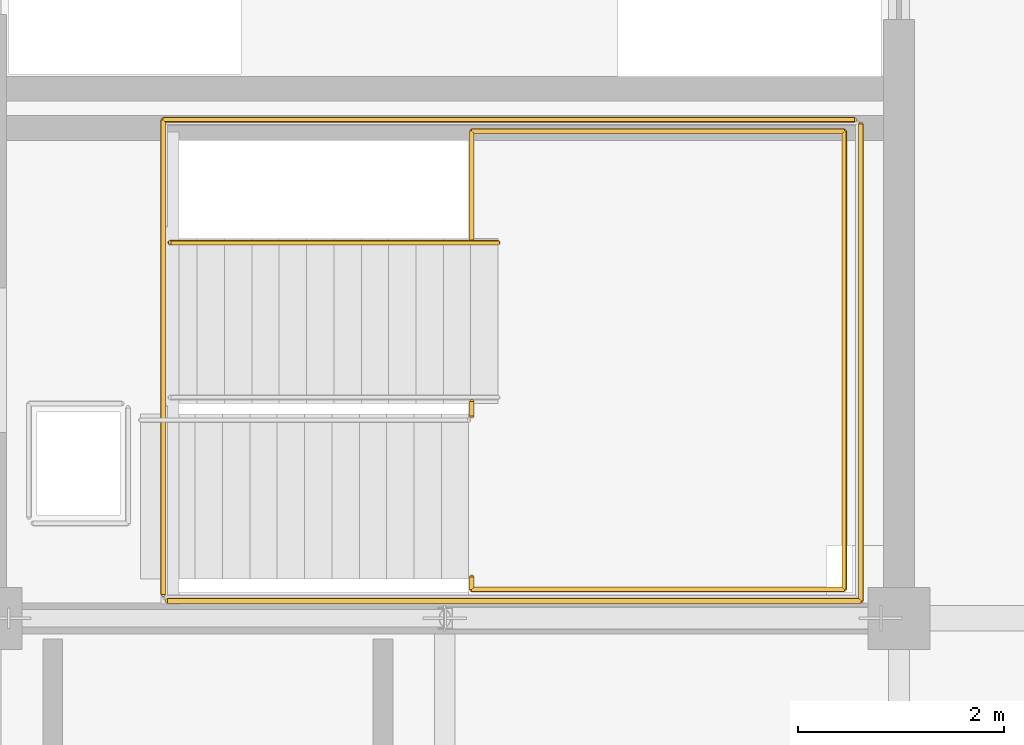
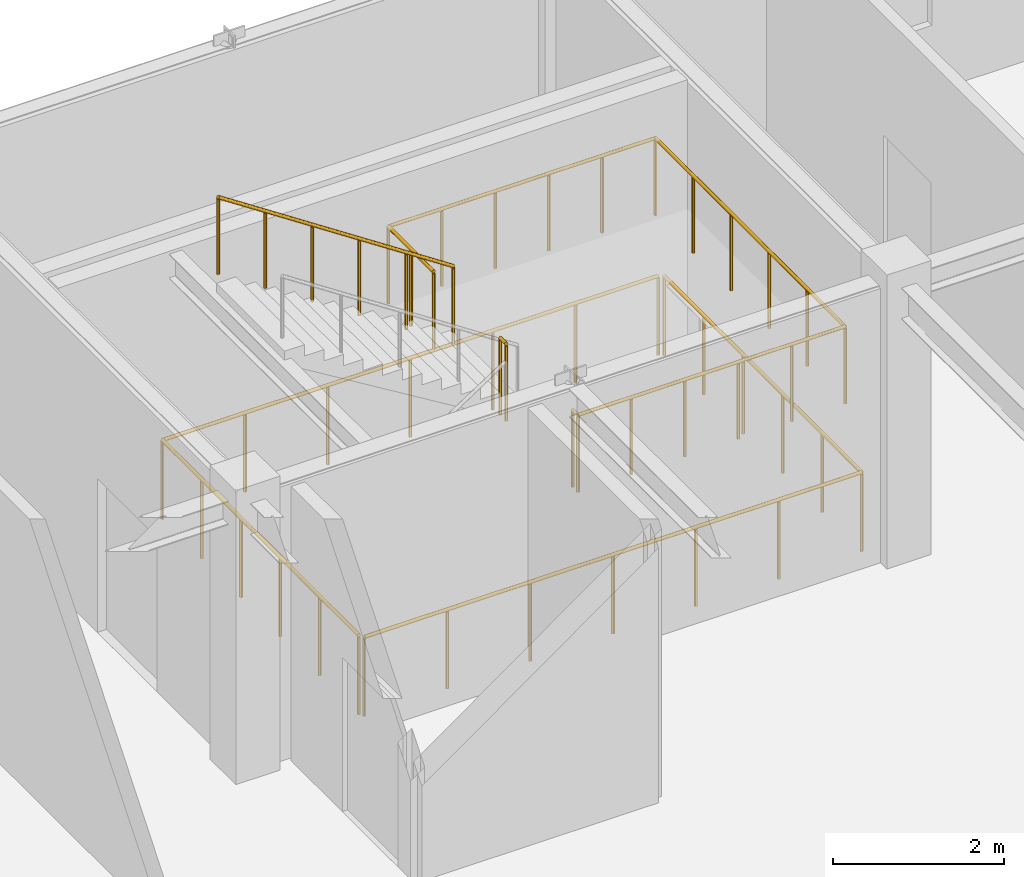
# One storey, part 13 of 13: 5 railings.
"""IFC4 building model written with IfcOpenShell, lengths in metres."""

from ifc_helpers import new_model, si_unit, direction, frame, origin, origin_2d, place, context, subcontext, project, spatial, circle, extrude, material, type_object, element, save


model = new_model("IFC4")

# Units and contexts
model_context = context("Model", 3, precision=1e-05, world=origin(), true_north=direction((0.0, 1.0)))
body_context = subcontext(model_context, "Body", "Model", "MODEL_VIEW")
ifc_project = project(units=[si_unit("LENGTHUNIT", "METRE"), si_unit("AREAUNIT", "SQUARE_METRE"), si_unit("VOLUMEUNIT", "CUBIC_METRE"), si_unit("PLANEANGLEUNIT", "RADIAN"), si_unit("MASSUNIT", "GRAM", prefix="KILO")], contexts=[model_context])

# Site, building, storey
site_placement = place(None, origin())
site = spatial("IfcSite", under=ifc_project, at=site_placement, CompositionType="ELEMENT")
building_placement = place(site_placement, origin())
building = spatial("IfcBuilding", under=site, at=building_placement, Name="Zhaolan Boulevard Law Courts", CompositionType="ELEMENT")
storey_placement = place(building_placement, frame((0.0, 0.0, 37.199951171875)))
storey = spatial("IfcBuildingStorey", under=building, at=storey_placement, Name="L08", CompositionType="ELEMENT", Elevation=37.199951171875)

# Railings
ifc_material_1 = material(Name="Powder-coated steel and tempered laminated glass", Category="steel")
railing_type_1 = type_object("IfcRailingType", Name="INTERIOR GUARDRAIL 1150", PredefinedType="GUARDRAIL", material=ifc_material_1)
railing_1_placement = place(storey_placement, frame((19.31005859375, 62.169921875, 0.0)))
element("IfcRailing", 1, at=railing_1_placement, inside=storey, type_object=railing_type_1, Name="Atrium Gallery Guardrail VG-8-V5-7A", PredefinedType="GUARDRAIL", context=body_context, shape_type="SweptSolid", body=[
    extrude(circle(Radius=0.02490234375, at=origin_2d()), frame((0.0, 0.0, 1.125), z_axis=(1.0, 0.0, 0.0), x_axis=(0.0, 1.0, 0.0)), (0.0, 0.0, 1.0), 6.719970703125),
    extrude(circle(Radius=0.02490234375, at=origin_2d()), frame((6.719970703125, 0.0, 1.125), z_axis=(0.0, 1.0, 0.0), x_axis=(-1.0, 0.0, 0.0)), (0.0, 0.0, 1.0), 4.6201171875),
    extrude(circle(Radius=0.02099609375, at=origin_2d()), origin(), (0.0, 0.0, 1.0), 1.099853515625),
    extrude(circle(Radius=0.02099609375, at=origin_2d()), frame((1.1201171875, 0.0, 0.0)), (0.0, 0.0, 1.0), 1.099853515625),
    extrude(circle(Radius=0.02099609375, at=origin_2d()), frame((2.239990234375, 0.0, 0.0)), (0.0, 0.0, 1.0), 1.099853515625),
    extrude(circle(Radius=0.02099609375, at=origin_2d()), frame((3.35986328125, 0.0, 0.0)), (0.0, 0.0, 1.0), 1.099853515625),
    extrude(circle(Radius=0.02099609375, at=origin_2d()), frame((4.47998046875, 0.0, 0.0)), (0.0, 0.0, 1.0), 1.099853515625),
    extrude(circle(Radius=0.02099609375, at=origin_2d()), frame((5.60009765625, 0.0, 0.0)), (0.0, 0.0, 1.0), 1.099853515625),
    extrude(circle(Radius=0.02099609375, at=origin_2d()), frame((6.719970703125, 0.0, 0.0)), (0.0, 0.0, 1.0), 1.099853515625),
    extrude(circle(Radius=0.02099609375, at=origin_2d()), frame((6.719970703125, 0.924072265625, 0.0)), (0.0, 0.0, 1.0), 1.099853515625),
    extrude(circle(Radius=0.02099609375, at=origin_2d()), frame((6.719970703125, 1.84814453125, 0.0)), (0.0, 0.0, 1.0), 1.099853515625),
    extrude(circle(Radius=0.02099609375, at=origin_2d()), frame((6.719970703125, 2.77197265625, 0.0)), (0.0, 0.0, 1.0), 1.099853515625),
    extrude(circle(Radius=0.02099609375, at=origin_2d()), frame((6.719970703125, 3.696044921875, 0.0)), (0.0, 0.0, 1.0), 1.099853515625),
    extrude(circle(Radius=0.02099609375, at=origin_2d()), frame((6.719970703125, 4.6201171875, 0.0)), (0.0, 0.0, 1.0), 1.099853515625),
])
railing_2_placement = place(storey_placement, frame((25.969970703125, 66.830078125, 0.0)))
element("IfcRailing", 2, at=railing_2_placement, inside=storey, type_object=railing_type_1, Name="Atrium Gallery Guardrail VG-8-V5-7B", PredefinedType="GUARDRAIL", context=body_context, shape_type="SweptSolid", body=[
    extrude(circle(Radius=0.02490234375, at=origin_2d()), frame((0.0, 0.0, 1.125), z_axis=(-1.0, 0.0, 0.0), x_axis=(0.0, -1.0, 0.0)), (0.0, 0.0, 1.0), 6.699951171875),
    extrude(circle(Radius=0.02490234375, at=origin_2d()), frame((-6.699951171875, 0.0, 1.125), z_axis=(0.0, -1.0, 0.0), x_axis=(1.0, 0.0, 0.0)), (0.0, 0.0, 1.0), 4.60009765625),
    extrude(circle(Radius=0.02099609375, at=origin_2d()), origin(), (0.0, 0.0, 1.0), 1.099853515625),
    extrude(circle(Radius=0.02099609375, at=origin_2d()), frame((-1.11669921875, 0.0, 0.0)), (0.0, 0.0, 1.0), 1.099853515625),
    extrude(circle(Radius=0.02099609375, at=origin_2d()), frame((-2.2333984375, 0.0, 0.0)), (0.0, 0.0, 1.0), 1.099853515625),
    extrude(circle(Radius=0.02099609375, at=origin_2d()), frame((-3.35009765625, 0.0, 0.0)), (0.0, 0.0, 1.0), 1.099853515625),
    extrude(circle(Radius=0.02099609375, at=origin_2d()), frame((-4.466552734375, 0.0, 0.0)), (0.0, 0.0, 1.0), 1.099853515625),
    extrude(circle(Radius=0.02099609375, at=origin_2d()), frame((-5.583251953125, 0.0, 0.0)), (0.0, 0.0, 1.0), 1.099853515625),
    extrude(circle(Radius=0.02099609375, at=origin_2d()), frame((-6.699951171875, 0.0, 0.0)), (0.0, 0.0, 1.0), 1.099853515625),
    extrude(circle(Radius=0.02099609375, at=origin_2d()), frame((-6.699951171875, -0.919921875, 0.0)), (0.0, 0.0, 1.0), 1.099853515625),
    extrude(circle(Radius=0.02099609375, at=origin_2d()), frame((-6.699951171875, -1.840087890625, 0.0)), (0.0, 0.0, 1.0), 1.099853515625),
    extrude(circle(Radius=0.02099609375, at=origin_2d()), frame((-6.699951171875, -2.760009765625, 0.0)), (0.0, 0.0, 1.0), 1.099853515625),
    extrude(circle(Radius=0.02099609375, at=origin_2d()), frame((-6.699951171875, -3.68017578125, 0.0)), (0.0, 0.0, 1.0), 1.099853515625),
    extrude(circle(Radius=0.02099609375, at=origin_2d()), frame((-6.699951171875, -4.60009765625, 0.0)), (0.0, 0.0, 1.0), 1.099853515625),
])
ifc_material_2 = material(Name="Powder-coated steel baluster guardrail", Category="steel")
railing_type_2 = type_object("IfcRailingType", Name="STAIR WELL GUARDRAIL 1120", PredefinedType="GUARDRAIL", material=ifc_material_2)
railing_3_placement = place(storey_placement, frame((22.260009765625, 62.39990234375, 2.10009765625)))
element("IfcRailing", 3, at=railing_3_placement, inside=storey, type_object=railing_type_2, Name="Half-Landing Guardrail SG-ST02-L08-M", PredefinedType="GUARDRAIL", context=body_context, shape_type="SweptSolid", body=[
    extrude(circle(Radius=0.02392578125, at=origin_2d()), frame((0.0, 0.0, 1.09619140625), z_axis=(0.0, -1.0, 0.0), x_axis=(1.0, 0.0, 0.0)), (0.0, 0.0, 1.0), 0.119873046875),
    extrude(circle(Radius=0.02392578125, at=origin_2d()), frame((0.0, -0.119873046875, 1.09619140625), z_axis=(1.0, 0.0, 0.0), x_axis=(0.0, 1.0, 0.0)), (0.0, 0.0, 1.0), 3.610107421875),
    extrude(circle(Radius=0.02392578125, at=origin_2d()), frame((3.610107421875, -0.119873046875, 1.09619140625), z_axis=(0.0, 1.0, 0.0), x_axis=(-1.0, 0.0, 0.0)), (0.0, 0.0, 1.0), 4.43994140625),
    extrude(circle(Radius=0.02392578125, at=origin_2d()), frame((3.610107421875, 4.320068359375, 1.09619140625), z_axis=(-1.0, 0.0, 0.0), x_axis=(0.0, -1.0, 0.0)), (0.0, 0.0, 1.0), 3.610107421875),
    extrude(circle(Radius=0.02392578125, at=origin_2d()), frame((0.0, 4.320068359375, 1.09619140625), z_axis=(0.0, -1.0, 0.0), x_axis=(1.0, 0.0, 0.0)), (0.0, 0.0, 1.0), 1.06005859375),
    extrude(circle(Radius=0.02099609375, at=origin_2d()), origin(), (0.0, 0.0, 1.0), 1.072021484375),
    extrude(circle(Radius=0.02099609375, at=origin_2d()), frame((0.0, -0.119873046875, 0.0)), (0.0, 0.0, 1.0), 1.072021484375),
    extrude(circle(Radius=0.02099609375, at=origin_2d()), frame((0.721923828125, -0.119873046875, 0.0)), (0.0, 0.0, 1.0), 1.072021484375),
    extrude(circle(Radius=0.02099609375, at=origin_2d()), frame((1.444091796875, -0.119873046875, 0.0)), (0.0, 0.0, 1.0), 1.072021484375),
    extrude(circle(Radius=0.02099609375, at=origin_2d()), frame((2.166015625, -0.119873046875, 0.0)), (0.0, 0.0, 1.0), 1.072021484375),
    extrude(circle(Radius=0.02099609375, at=origin_2d()), frame((2.88818359375, -0.119873046875, 0.0)), (0.0, 0.0, 1.0), 1.072021484375),
    extrude(circle(Radius=0.02099609375, at=origin_2d()), frame((3.610107421875, -0.119873046875, 0.0)), (0.0, 0.0, 1.0), 1.072021484375),
    extrude(circle(Radius=0.02099609375, at=origin_2d()), frame((3.610107421875, 0.76806640625, 0.0)), (0.0, 0.0, 1.0), 1.072021484375),
    extrude(circle(Radius=0.02099609375, at=origin_2d()), frame((3.610107421875, 1.656005859375, 0.0)), (0.0, 0.0, 1.0), 1.072021484375),
    extrude(circle(Radius=0.02099609375, at=origin_2d()), frame((3.610107421875, 2.544189453125, 0.0)), (0.0, 0.0, 1.0), 1.072021484375),
    extrude(circle(Radius=0.02099609375, at=origin_2d()), frame((3.610107421875, 3.43212890625, 0.0)), (0.0, 0.0, 1.0), 1.072021484375),
    extrude(circle(Radius=0.02099609375, at=origin_2d()), frame((3.610107421875, 4.320068359375, 0.0)), (0.0, 0.0, 1.0), 1.072021484375),
    extrude(circle(Radius=0.02099609375, at=origin_2d()), frame((2.88818359375, 4.320068359375, 0.0)), (0.0, 0.0, 1.0), 1.072021484375),
    extrude(circle(Radius=0.02099609375, at=origin_2d()), frame((2.166015625, 4.320068359375, 0.0)), (0.0, 0.0, 1.0), 1.072021484375),
    extrude(circle(Radius=0.02099609375, at=origin_2d()), frame((1.444091796875, 4.320068359375, 0.0)), (0.0, 0.0, 1.0), 1.072021484375),
    extrude(circle(Radius=0.02099609375, at=origin_2d()), frame((0.721923828125, 4.320068359375, 0.0)), (0.0, 0.0, 1.0), 1.072021484375),
    extrude(circle(Radius=0.02099609375, at=origin_2d()), frame((0.0, 4.320068359375, 0.0)), (0.0, 0.0, 1.0), 1.072021484375),
    extrude(circle(Radius=0.02099609375, at=origin_2d()), frame((0.0, 3.7900390625, 0.0)), (0.0, 0.0, 1.0), 1.072021484375),
    extrude(circle(Radius=0.02099609375, at=origin_2d()), frame((0.0, 3.260009765625, 0.0)), (0.0, 0.0, 1.0), 1.072021484375),
])
railing_4_placement = place(storey_placement, frame((22.260009765625, 63.9599609375, 2.10009765625)))
element("IfcRailing", 4, at=railing_4_placement, inside=storey, type_object=railing_type_2, Name="Half-Landing Well Guardrail SG-ST02-L08-W", PredefinedType="GUARDRAIL", context=body_context, shape_type="SweptSolid", body=[
    extrude(circle(Radius=0.02392578125, at=origin_2d()), frame((0.0, 0.0, 1.09619140625), z_axis=(0.0, 1.0, 0.0), x_axis=(-1.0, 0.0, 0.0)), (0.0, 0.0, 1.0), 0.14013671875),
    extrude(circle(Radius=0.02099609375, at=origin_2d()), origin(), (0.0, 0.0, 1.0), 1.072021484375),
    extrude(circle(Radius=0.02099609375, at=origin_2d()), frame((0.0, 0.14013671875, 0.0)), (0.0, 0.0, 1.0), 1.072021484375),
])
railing_5_placement = place(storey_placement, frame((22.514892578125, 65.639892578125, 2.10009765625)))
element("IfcRailing", 5, at=railing_5_placement, inside=storey, type_object=railing_type_2, Name="Flight Guardrail SG-ST02-L08-F2", PredefinedType="GUARDRAIL", context=body_context, shape_type="SweptSolid", body=[
    extrude(circle(Radius=0.02392578125, at=origin_2d()), frame((0.0, 0.0, 1.09619140625), z_axis=(-0.834476838559, 0.0, 0.551043016387), x_axis=(0.0, -1.0, 0.0)), (0.0, 0.0, 1.0), 3.810791015625),
    extrude(circle(Radius=0.02099609375, at=origin_2d()), origin(), (0.0, 0.0, 1.0), 1.072021484375),
    extrude(circle(Radius=0.02099609375, at=origin_2d()), frame((-0.635986328125, 0.0, 0.419921875)), (0.0, 0.0, 1.0), 1.072021484375),
    extrude(circle(Radius=0.02099609375, at=origin_2d()), frame((-1.27197265625, 0.0, 0.83984375)), (0.0, 0.0, 1.0), 1.072021484375),
    extrude(circle(Radius=0.02099609375, at=origin_2d()), frame((-1.907958984375, 0.0, 1.260009765625)), (0.0, 0.0, 1.0), 1.072021484375),
    extrude(circle(Radius=0.02099609375, at=origin_2d()), frame((-2.5439453125, 0.0, 1.679931640625)), (0.0, 0.0, 1.0), 1.072021484375),
    extrude(circle(Radius=0.02099609375, at=origin_2d()), frame((-3.179931640625, 0.0, 2.099853515625)), (0.0, 0.0, 1.0), 1.072021484375),
])

save(model, "model.ifc")
